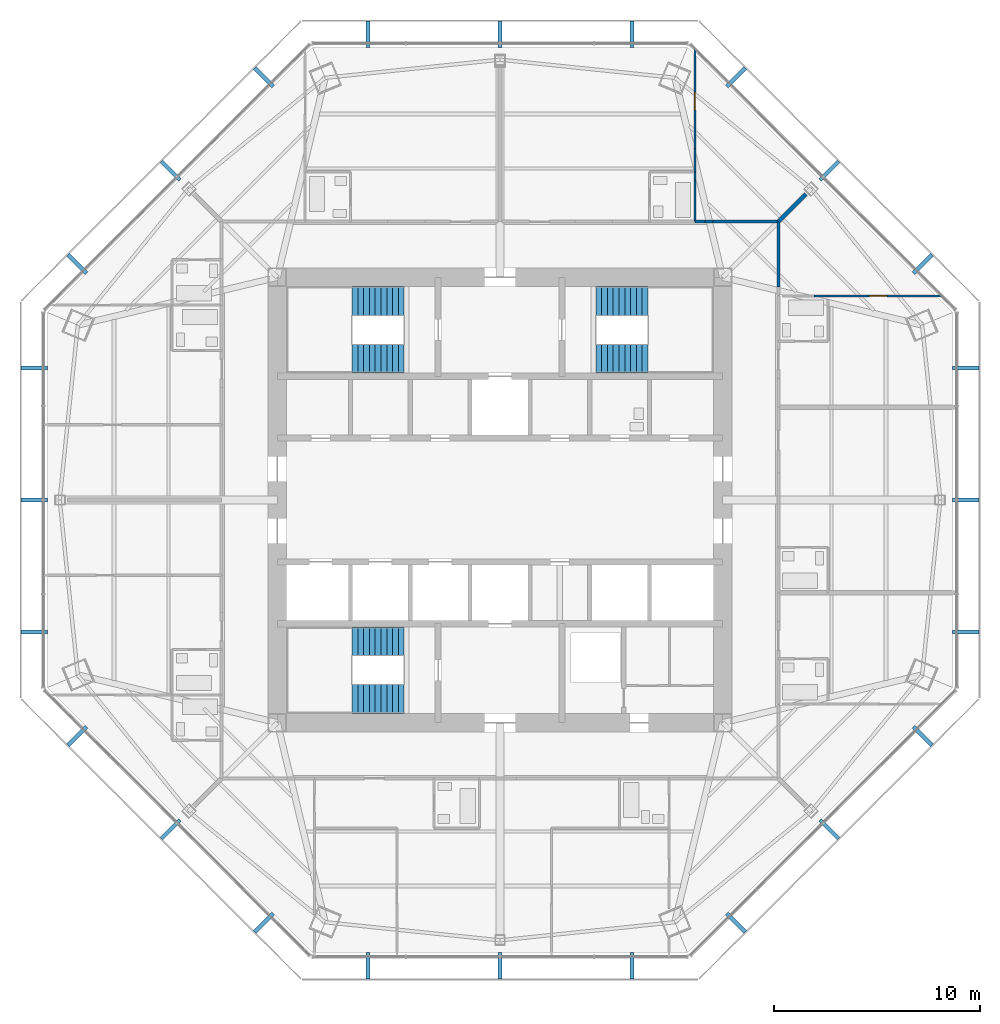
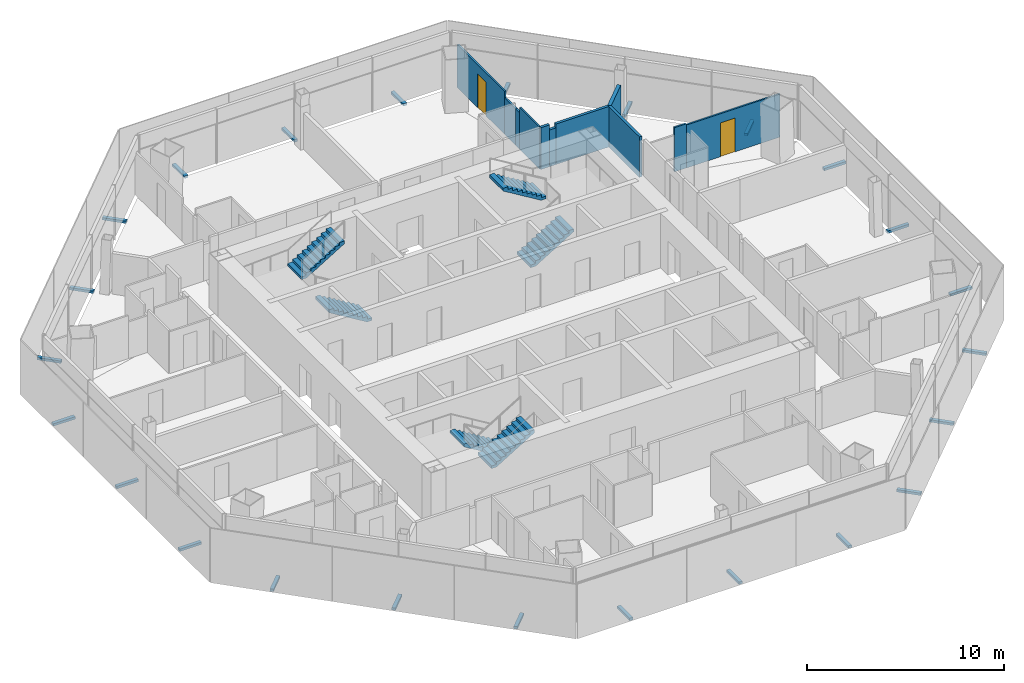
# One storey, part 13 of 15: 24 discrete accessories, 11 walls, 6 stair flights, 2 doors, 2 openings, 3 elements without a shape of their own.
"""IFC4 building model written with IfcOpenShell, lengths in metres."""

from ifc_helpers import new_model, si_unit, direction, frame, frame_2d, origin, origin_2d, place, context, subcontext, project, spatial, polyline, rectangle, outline, extrude, source, transform, mapped, material, layer, layer_set, type_object, type_shapes, element, fill, aggregate, save


model = new_model("IFC4")

# Units and contexts
model_context = context("Model", 3, precision=1e-05, world=origin(), true_north=direction((0.0, 1.0)))
body_context = subcontext(model_context, "Body", "Model", "MODEL_VIEW")
ifc_project = project(units=[si_unit("LENGTHUNIT", "METRE"), si_unit("AREAUNIT", "SQUARE_METRE"), si_unit("VOLUMEUNIT", "CUBIC_METRE"), si_unit("PLANEANGLEUNIT", "RADIAN"), si_unit("MASSUNIT", "GRAM", prefix="KILO")], contexts=[model_context])

# Site, building, storey
site_placement = place(None, origin())
site = spatial("IfcSite", under=ifc_project, at=site_placement, CompositionType="ELEMENT")
building_placement = place(site_placement, origin())
building = spatial("IfcBuilding", under=site, at=building_placement, Name="Mashrafa Tower", CompositionType="ELEMENT")
storey_placement = place(building_placement, frame((0.0, 0.0, 207.39990234375)))
storey = spatial("IfcBuildingStorey", under=building, at=storey_placement, Name="L47", CompositionType="ELEMENT", Elevation=207.39990234375)

# Walls
ifc_material_1 = material(Name="Gypsum board on steel studs", Category="steel")
ifc_layer_1 = layer(ifc_material_1, 0.199951171875)
ifc_layer_set_1 = layer_set([ifc_layer_1], Name="Acoustic partition 200 1 hr")
wall_type_1 = type_object("IfcWallType", Name="Acoustic partition 200 1 hr", PredefinedType="PARTITIONING", material=ifc_layer_set_1)
wall_1_placement = place(storey_placement, frame((14.8369140625, 14.8369140625, 0.0), z_axis=(0.0, 0.0, 1.0), x_axis=(-0.707106781187, -0.707106781187, 0.0)))
element("IfcWall", 1, at=wall_1_placement, inside=storey, type_object=wall_type_1, Name="Acoustic wall L47-076", PredefinedType="PARTITIONING", context=body_context, shape_type="SweptSolid", body=[
    extrude(rectangle(XDim=1.890625, YDim=0.199951171875, at=frame_2d((0.9453125, 0.0))), origin(), (0.0, 0.0, 1.0), 2.511962890625),
])
ifc_material_2 = material(Name="Gypsum board on steel studs", Category="steel")
ifc_layer_2 = layer(ifc_material_2, 0.14990234375)
ifc_layer_set_2 = layer_set([ifc_layer_2], Name="Corridor partition 150 1 hr")
wall_type_2 = type_object("IfcWallType", Name="Corridor partition 150 1 hr", PredefinedType="PARTITIONING", material=ifc_layer_set_2)
for number, where, z_axis, x_axis, name in (
    (2, (13.5, 10.322998046875, 0.0), (0.0, 0.0, 1.0), (0.0, 1.0, 0.0), "Corridor wall L47-012"),
    (3, (13.5, 13.5, 0.0), (0.0, 0.0, 1.0), (-1.0, 0.0, 0.0), "Corridor wall L47-017"),
):
    element("IfcWall", number, at=place(storey_placement, frame(where, z_axis=z_axis, x_axis=x_axis)), inside=storey, type_object=wall_type_2, Name=name, PredefinedType="PARTITIONING", context=body_context, shape_type="SweptSolid", body=[
        extrude(rectangle(XDim=3.177001953125, YDim=0.14990234375, at=frame_2d((1.58837890625, 0.0))), origin(), (0.0, 0.0, 1.0), 2.511962890625),
    ])
wall_2_placement = place(storey_placement, frame((9.947265625, 13.5, 0.0), z_axis=(0.0, 0.0, 1.0), x_axis=(-1.0, 0.0, 0.0)))
element("IfcWall", 4, at=wall_2_placement, inside=storey, type_object=wall_type_2, Name="Corridor wall L47-018", PredefinedType="PARTITIONING", context=body_context, shape_type="SweptSolid", body=[
    extrude(rectangle(XDim=0.498291015625, YDim=0.14990234375, at=frame_2d((0.2490234375, 0.0))), origin(), (0.0, 0.0, 1.0), 2.590576171875),
])
wall_3_placement = place(storey_placement, frame((10.322998046875, 13.5, 0.0), z_axis=(0.0, 0.0, 1.0), x_axis=(-1.0, 0.0, 0.0)))
element("IfcWall", 5, at=wall_3_placement, inside=storey, type_object=wall_type_2, Name="Corridor wall L47-019", PredefinedType="PARTITIONING", context=body_context, shape_type="SweptSolid", body=[
    extrude(rectangle(XDim=0.375732421875, YDim=0.14990234375, at=frame_2d((0.18798828125, 0.0))), origin(), (0.0, 0.0, 1.0), 2.268310546875),
])
ifc_material_3 = material(Name="Gypsum board on steel studs", Category="steel")
ifc_layer_3 = layer(ifc_material_3, 0.10009765625)
ifc_layer_set_3 = layer_set([ifc_layer_3], Name="Partition 100")
wall_type_3 = type_object("IfcWallType", Name="Partition 100", PredefinedType="PARTITIONING", material=ifc_layer_set_3)
wall_4_placement = place(storey_placement, frame((15.2177734375, 9.89990234375, 0.0), z_axis=(0.0, 0.0, 1.0), x_axis=(1.0, 0.0, 0.0)))
element("IfcWall", 6, at=wall_4_placement, inside=storey, type_object=wall_type_3, Name="Partition wall L47-073", PredefinedType="PARTITIONING", context=body_context, shape_type="SweptSolid", body=[
    extrude(rectangle(XDim=0.68310546875, YDim=0.10009765625, at=frame_2d((0.341552734375, 0.0))), origin(), (0.0, 0.0, 1.0), 2.740478515625),
])

# Wall, opening, door
wall_5_placement = place(storey_placement, frame((15.89892578125, 9.89990234375, 0.0), z_axis=(0.0, 0.0, 1.0), x_axis=(1.0, 0.0, 0.0)))
wall_5 = element("IfcWall", 7, at=wall_5_placement, inside=storey, type_object=wall_type_3, Name="Partition wall L47-075", PredefinedType="PARTITIONING", context=body_context, shape_type="SweptSolid", body=[
    extrude(rectangle(XDim=5.500732421875, YDim=0.10009765625, at=frame_2d((2.75048828125, 0.0))), origin(), (0.0, 0.0, 1.0), 2.664306640625),
])
opening_1_placement = place(wall_5_placement, frame((2.01806640625, 0.0, 0.0)))
opening_1 = element("IfcOpeningElement", 8, at=opening_1_placement, cuts=wall_5, Name="Opening 47.006", PredefinedType="OPENING", context=body_context, shape_type="SweptSolid", body=[
    extrude(rectangle(XDim=0.85009765625, YDim=2.10009765625, at=frame_2d((0.425048828125, 1.050048828125))), frame((0.0, 0.06005859375, 0.0), z_axis=(0.0, -1.0, 0.0), x_axis=(1.0, 0.0, 0.0)), (0.0, 0.0, 1.0), 0.1201171875),
])
ifc_material_4 = material(Name="Timber door", Category="wood")
door_type = type_object("IfcDoorType", Name="Bedroom door 850 x 2100", OperationType="USERDEFINED", PredefinedType="DOOR", material=ifc_material_4)
door_1_placement = place(opening_1_placement, origin())
door_1 = element("IfcDoor", 9, at=door_1_placement, inside=storey, type_object=door_type, Name="Apartment 4703 Bedroom 1 door", OperationType="SINGLE_SWING_RIGHT", OverallHeight=2.10009765625, OverallWidth=0.85009765625, PredefinedType="DOOR", context=body_context, shape_type="SweptSolid", body=[
    extrude(rectangle(XDim=0.85009765625, YDim=2.10009765625, at=frame_2d((0.425048828125, 1.050048828125))), frame((0.0, 0.02490234375, 0.0), z_axis=(0.0, -1.0, 0.0), x_axis=(1.0, 0.0, 0.0)), (0.0, 0.0, 1.0), 0.050048828125),
])
fill(opening_1, door_1)

# Walls
wall_6_placement = place(storey_placement, frame((9.449951171875, 15.519287109375, 0.0), z_axis=(0.0, 0.0, 1.0), x_axis=(0.0, -1.0, 0.0)))
element("IfcWall", 10, at=wall_6_placement, inside=storey, type_object=wall_type_3, Name="Partition wall L47-080", PredefinedType="PARTITIONING", context=body_context, shape_type="SweptSolid", body=[
    extrude(rectangle(XDim=2.019287109375, YDim=0.10009765625, at=frame_2d((1.009765625, 0.0))), origin(), (0.0, 0.0, 1.0), 2.590576171875),
])
wall_7_placement = place(storey_placement, frame((9.449951171875, 15.90087890625, 0.0), z_axis=(0.0, 0.0, 1.0), x_axis=(0.0, -1.0, 0.0)))
element("IfcWall", 11, at=wall_7_placement, inside=storey, type_object=wall_type_3, Name="Partition wall L47-081", PredefinedType="PARTITIONING", context=body_context, shape_type="SweptSolid", body=[
    extrude(rectangle(XDim=0.381591796875, YDim=0.10009765625, at=frame_2d((0.19091796875, 0.0))), origin(), (0.0, 0.0, 1.0), 2.268310546875),
])

# Wall, opening, door
wall_8_placement = place(storey_placement, frame((9.449951171875, 21.849609375, 0.0), z_axis=(0.0, 0.0, 1.0), x_axis=(0.0, -1.0, 0.0)))
wall_8 = element("IfcWall", 12, at=wall_8_placement, inside=storey, type_object=wall_type_3, Name="Partition wall L47-082", PredefinedType="PARTITIONING", context=body_context, shape_type="SweptSolid", body=[
    extrude(rectangle(XDim=4.804443359375, YDim=0.10009765625, at=frame_2d((2.40234375, 0.0))), origin(), (0.0, 0.0, 1.0), 2.664306640625),
])
opening_2_placement = place(wall_8_placement, frame((2.080078125, 0.0, 0.0)))
opening_2 = element("IfcOpeningElement", 13, at=opening_2_placement, cuts=wall_8, Name="Opening 47.009", PredefinedType="OPENING", context=body_context, shape_type="SweptSolid", body=[
    extrude(rectangle(XDim=0.85009765625, YDim=2.10009765625, at=frame_2d((0.425048828125, 1.050048828125))), frame((0.0, 0.06005859375, 0.0), z_axis=(0.0, -1.0, 0.0), x_axis=(1.0, 0.0, 0.0)), (0.0, 0.0, 1.0), 0.1201171875),
])
door_2_placement = place(opening_2_placement, origin())
door_2 = element("IfcDoor", 14, at=door_2_placement, inside=storey, type_object=door_type, Name="Apartment 4704 Bedroom 1 door", OperationType="SINGLE_SWING_LEFT", OverallHeight=2.10009765625, OverallWidth=0.85009765625, PredefinedType="DOOR", context=body_context, shape_type="SweptSolid", body=[
    extrude(rectangle(XDim=0.85009765625, YDim=2.10009765625, at=frame_2d((0.425048828125, 1.050048828125))), frame((0.0, 0.02490234375, 0.0), z_axis=(0.0, -1.0, 0.0), x_axis=(1.0, 0.0, 0.0)), (0.0, 0.0, 1.0), 0.050048828125),
])
fill(opening_2, door_2)

# Wall
wall_9_placement = place(storey_placement, frame((9.449951171875, 17.045166015625, 0.0), z_axis=(0.0, 0.0, 1.0), x_axis=(0.0, -1.0, 0.0)))
element("IfcWall", 15, at=wall_9_placement, inside=storey, type_object=wall_type_3, Name="Partition wall L47-083", PredefinedType="PARTITIONING", context=body_context, shape_type="SweptSolid", body=[
    extrude(rectangle(XDim=1.146240234375, YDim=0.10009765625, at=frame_2d((0.5732421875, 0.0))), origin(), (0.0, 0.0, 1.0), 2.268310546875),
])

# Stair, stair flights
ifc_material_5 = material(Name="Exit stair 1400")
stair_type = type_object("IfcStairType", Name="Exit stair 1400", PredefinedType="HALF_TURN_STAIR", material=ifc_material_5)
stair_1_placement = place(storey_placement, origin())
stair_1 = element("IfcStair", 16, at=stair_1_placement, inside=storey, type_object=stair_type, Name="Stair S1 L47", PredefinedType="HALF_TURN_STAIR")
ifc_material_6 = material(Name="Concrete C32/40", Category="concrete")
stair_flight_type = type_object("IfcStairFlightType", Name="Stair flight 1400", PredefinedType="STRAIGHT", material=ifc_material_6)
stair_flight_1_placement = place(storey_placement, frame((-4.64990234375, 6.85009765625, 0.0), z_axis=(0.0, 0.0, 1.0), x_axis=(-1.0, 0.0, 0.0)))
stair_flight_1 = element("IfcStairFlight", 17, at=stair_flight_1_placement, type_object=stair_flight_type, Name="S1 flight 1", NumberOfRisers=10, NumberOfTreads=9, PredefinedType="STRAIGHT", RiserHeight=0.17, TreadLength=0.28, context=body_context, shape_type="SweptSolid", body=[
    extrude(outline(polyline([(0.0, 0.0), (0.0, 0.169921875), (0.280029296875, 0.169921875), (0.280029296875, 0.340087890625), (0.56005859375, 0.340087890625), (0.56005859375, 0.510009765625), (0.840087890625, 0.510009765625), (0.840087890625, 0.679931640625), (1.1201171875, 0.679931640625), (1.1201171875, 0.85009765625), (1.39990234375, 0.85009765625), (1.39990234375, 1.02001953125), (1.679931640625, 1.02001953125), (1.679931640625, 1.18994140625), (1.9599609375, 1.18994140625), (1.9599609375, 1.360107421875), (2.239990234375, 1.360107421875), (2.239990234375, 1.530029296875), (2.52001953125, 1.530029296875), (2.52001953125, 1.699951171875), (2.52001953125, 1.354736328125), (0.288818359375, 0.0), (0.0, 0.0)])), frame((0.0, 0.699951171875, 0.0), z_axis=(0.0, -1.0, 0.0), x_axis=(1.0, 0.0, 0.0)), (0.0, 0.0, 1.0), 1.39990234375),
])
stair_flight_2_placement = place(storey_placement, frame((-7.169921875, 9.64990234375, 1.7001953125), z_axis=(0.0, 0.0, 1.0), x_axis=(1.0, 0.0, 0.0)))
stair_flight_2 = element("IfcStairFlight", 18, at=stair_flight_2_placement, type_object=stair_flight_type, Name="S1 flight 2", NumberOfRisers=10, NumberOfTreads=9, PredefinedType="STRAIGHT", RiserHeight=0.17, TreadLength=0.28, context=body_context, shape_type="SweptSolid", body=[
    extrude(outline(polyline([(0.0, 0.0), (0.0, 0.169921875), (0.280029296875, 0.169921875), (0.280029296875, 0.340087890625), (0.56005859375, 0.340087890625), (0.56005859375, 0.510009765625), (0.840087890625, 0.510009765625), (0.840087890625, 0.679931640625), (1.1201171875, 0.679931640625), (1.1201171875, 0.85009765625), (1.39990234375, 0.85009765625), (1.39990234375, 1.02001953125), (1.679931640625, 1.02001953125), (1.679931640625, 1.18994140625), (1.9599609375, 1.18994140625), (1.9599609375, 1.360107421875), (2.239990234375, 1.360107421875), (2.239990234375, 1.530029296875), (2.52001953125, 1.530029296875), (2.52001953125, 1.699951171875), (2.52001953125, 1.354736328125), (0.288818359375, 0.0), (0.0, 0.0)])), frame((0.0, 0.699951171875, 0.0), z_axis=(0.0, -1.0, 0.0), x_axis=(1.0, 0.0, 0.0)), (0.0, 0.0, 1.0), 1.39990234375),
])
aggregate(stair_1, [stair_flight_1, stair_flight_2])

stair_2_placement = place(storey_placement, origin())
stair_2 = element("IfcStair", 19, at=stair_2_placement, inside=storey, type_object=stair_type, Name="Stair S2 L47", PredefinedType="HALF_TURN_STAIR")
stair_flight_3_placement = place(storey_placement, frame((4.64990234375, 6.85009765625, 0.0), z_axis=(0.0, 0.0, 1.0), x_axis=(1.0, 0.0, 0.0)))
stair_flight_3 = element("IfcStairFlight", 20, at=stair_flight_3_placement, type_object=stair_flight_type, Name="S2 flight 1", NumberOfRisers=10, NumberOfTreads=9, PredefinedType="STRAIGHT", RiserHeight=0.17, TreadLength=0.28, context=body_context, shape_type="SweptSolid", body=[
    extrude(outline(polyline([(0.0, 0.0), (0.0, 0.169921875), (0.280029296875, 0.169921875), (0.280029296875, 0.340087890625), (0.56005859375, 0.340087890625), (0.56005859375, 0.510009765625), (0.840087890625, 0.510009765625), (0.840087890625, 0.679931640625), (1.1201171875, 0.679931640625), (1.1201171875, 0.85009765625), (1.39990234375, 0.85009765625), (1.39990234375, 1.02001953125), (1.679931640625, 1.02001953125), (1.679931640625, 1.18994140625), (1.9599609375, 1.18994140625), (1.9599609375, 1.360107421875), (2.239990234375, 1.360107421875), (2.239990234375, 1.530029296875), (2.52001953125, 1.530029296875), (2.52001953125, 1.699951171875), (2.52001953125, 1.354736328125), (0.288818359375, 0.0), (0.0, 0.0)])), frame((0.0, 0.699951171875, 0.0), z_axis=(0.0, -1.0, 0.0), x_axis=(1.0, 0.0, 0.0)), (0.0, 0.0, 1.0), 1.39990234375),
])
stair_flight_4_placement = place(storey_placement, frame((7.169921875, 9.64990234375, 1.7001953125), z_axis=(0.0, 0.0, 1.0), x_axis=(-1.0, 0.0, 0.0)))
stair_flight_4 = element("IfcStairFlight", 21, at=stair_flight_4_placement, type_object=stair_flight_type, Name="S2 flight 2", NumberOfRisers=10, NumberOfTreads=9, PredefinedType="STRAIGHT", RiserHeight=0.17, TreadLength=0.28, context=body_context, shape_type="SweptSolid", body=[
    extrude(outline(polyline([(0.0, 0.0), (0.0, 0.169921875), (0.280029296875, 0.169921875), (0.280029296875, 0.340087890625), (0.56005859375, 0.340087890625), (0.56005859375, 0.510009765625), (0.840087890625, 0.510009765625), (0.840087890625, 0.679931640625), (1.1201171875, 0.679931640625), (1.1201171875, 0.85009765625), (1.39990234375, 0.85009765625), (1.39990234375, 1.02001953125), (1.679931640625, 1.02001953125), (1.679931640625, 1.18994140625), (1.9599609375, 1.18994140625), (1.9599609375, 1.360107421875), (2.239990234375, 1.360107421875), (2.239990234375, 1.530029296875), (2.52001953125, 1.530029296875), (2.52001953125, 1.699951171875), (2.52001953125, 1.354736328125), (0.288818359375, 0.0), (0.0, 0.0)])), frame((0.0, 0.699951171875, 0.0), z_axis=(0.0, -1.0, 0.0), x_axis=(1.0, 0.0, 0.0)), (0.0, 0.0, 1.0), 1.39990234375),
])
aggregate(stair_2, [stair_flight_3, stair_flight_4])

stair_3_placement = place(storey_placement, origin())
stair_3 = element("IfcStair", 22, at=stair_3_placement, inside=storey, type_object=stair_type, Name="Stair S3 L47", PredefinedType="HALF_TURN_STAIR")
stair_flight_5_placement = place(storey_placement, frame((-4.64990234375, -6.85009765625, 0.0), z_axis=(0.0, 0.0, 1.0), x_axis=(-1.0, 0.0, 0.0)))
stair_flight_5 = element("IfcStairFlight", 23, at=stair_flight_5_placement, type_object=stair_flight_type, Name="S3 flight 1", NumberOfRisers=10, NumberOfTreads=9, PredefinedType="STRAIGHT", RiserHeight=0.17, TreadLength=0.28, context=body_context, shape_type="SweptSolid", body=[
    extrude(outline(polyline([(0.0, 0.0), (0.0, 0.169921875), (0.280029296875, 0.169921875), (0.280029296875, 0.340087890625), (0.56005859375, 0.340087890625), (0.56005859375, 0.510009765625), (0.840087890625, 0.510009765625), (0.840087890625, 0.679931640625), (1.1201171875, 0.679931640625), (1.1201171875, 0.85009765625), (1.39990234375, 0.85009765625), (1.39990234375, 1.02001953125), (1.679931640625, 1.02001953125), (1.679931640625, 1.18994140625), (1.9599609375, 1.18994140625), (1.9599609375, 1.360107421875), (2.239990234375, 1.360107421875), (2.239990234375, 1.530029296875), (2.52001953125, 1.530029296875), (2.52001953125, 1.699951171875), (2.52001953125, 1.354736328125), (0.288818359375, 0.0), (0.0, 0.0)])), frame((0.0, 0.699951171875, 0.0), z_axis=(0.0, -1.0, 0.0), x_axis=(1.0, 0.0, 0.0)), (0.0, 0.0, 1.0), 1.39990234375),
])
stair_flight_6_placement = place(storey_placement, frame((-7.169921875, -9.64990234375, 1.7001953125), z_axis=(0.0, 0.0, 1.0), x_axis=(1.0, 0.0, 0.0)))
stair_flight_6 = element("IfcStairFlight", 24, at=stair_flight_6_placement, type_object=stair_flight_type, Name="S3 flight 2", NumberOfRisers=10, NumberOfTreads=9, PredefinedType="STRAIGHT", RiserHeight=0.17, TreadLength=0.28, context=body_context, shape_type="SweptSolid", body=[
    extrude(outline(polyline([(0.0, 0.0), (0.0, 0.169921875), (0.280029296875, 0.169921875), (0.280029296875, 0.340087890625), (0.56005859375, 0.340087890625), (0.56005859375, 0.510009765625), (0.840087890625, 0.510009765625), (0.840087890625, 0.679931640625), (1.1201171875, 0.679931640625), (1.1201171875, 0.85009765625), (1.39990234375, 0.85009765625), (1.39990234375, 1.02001953125), (1.679931640625, 1.02001953125), (1.679931640625, 1.18994140625), (1.9599609375, 1.18994140625), (1.9599609375, 1.360107421875), (2.239990234375, 1.360107421875), (2.239990234375, 1.530029296875), (2.52001953125, 1.530029296875), (2.52001953125, 1.699951171875), (2.52001953125, 1.354736328125), (0.288818359375, 0.0), (0.0, 0.0)])), frame((0.0, 0.699951171875, 0.0), z_axis=(0.0, -1.0, 0.0), x_axis=(1.0, 0.0, 0.0)), (0.0, 0.0, 1.0), 1.39990234375),
])
aggregate(stair_3, [stair_flight_5, stair_flight_6])

# Discrete accessories
ifc_material_7 = material(Name="Stainless steel screen bracket", Category="steel")
discrete_accessory_type = type_object("IfcDiscreteAccessoryType", Name="Screen support bracket 200 x 150", PredefinedType="BRACKET", material=ifc_material_7)
shared_shape = source(origin(), body_context, "Body", "SweptSolid", [
    extrude(rectangle(XDim=0.199951171875, YDim=1.27001953125, at=origin_2d()), origin(), (0.0, 0.0, 1.0), 0.14990234375),
])
type_shapes(discrete_accessory_type, [shared_shape])
for number, where, z_axis, x_axis, name in (
    (25, (22.582763671875, -6.40478515625, -0.14990234375), (0.0, 0.0, 1.0), (0.0, 1.0, 0.0), "Screen support bracket L47 east 1"),
    (26, (22.582763671875, 0.0, -0.14990234375), (0.0, 0.0, 1.0), (0.0, 1.0, 0.0), "Screen support bracket L47 east 2"),
    (27, (22.582763671875, 6.40478515625, -0.14990234375), (0.0, 0.0, 1.0), (0.0, 1.0, 0.0), "Screen support bracket L47 east 3"),
    (28, (20.4970703125, 11.439453125, -0.14990234375), (0.0, 0.0, 1.0), (-0.707106781187, 0.707106781187, 0.0), "Screen support bracket L47 north-east 1"),
    (29, (15.96826171875, 15.96826171875, -0.14990234375), (0.0, 0.0, 1.0), (-0.707106781187, 0.707106781187, 0.0), "Screen support bracket L47 north-east 2"),
    (30, (11.439453125, 20.4970703125, -0.14990234375), (0.0, 0.0, 1.0), (-0.707106781187, 0.707106781187, 0.0), "Screen support bracket L47 north-east 3"),
    (31, (6.40478515625, 22.582763671875, -0.14990234375), (0.0, 0.0, 1.0), (-1.0, 0.0, 0.0), "Screen support bracket L47 north 1"),
    (32, (0.0, 22.582763671875, -0.14990234375), (0.0, 0.0, 1.0), (-1.0, 0.0, 0.0), "Screen support bracket L47 north 2"),
    (33, (-6.40478515625, 22.582763671875, -0.14990234375), (0.0, 0.0, 1.0), (-1.0, 0.0, 0.0), "Screen support bracket L47 north 3"),
    (34, (-11.439453125, 20.4970703125, -0.14990234375), (0.0, 0.0, 1.0), (-0.707106781187, -0.707106781187, 0.0), "Screen support bracket L47 north-west 1"),
    (35, (-15.96826171875, 15.96826171875, -0.14990234375), (0.0, 0.0, 1.0), (-0.707106781187, -0.707106781187, 0.0), "Screen support bracket L47 north-west 2"),
    (36, (-20.4970703125, 11.439453125, -0.14990234375), (0.0, 0.0, 1.0), (-0.707106781187, -0.707106781187, 0.0), "Screen support bracket L47 north-west 3"),
    (37, (-22.582763671875, 6.40478515625, -0.14990234375), (0.0, 0.0, 1.0), (0.0, -1.0, 0.0), "Screen support bracket L47 west 1"),
    (38, (-22.582763671875, 0.0, -0.14990234375), (0.0, 0.0, 1.0), (0.0, -1.0, 0.0), "Screen support bracket L47 west 2"),
    (39, (-22.582763671875, -6.40478515625, -0.14990234375), (0.0, 0.0, 1.0), (0.0, -1.0, 0.0), "Screen support bracket L47 west 3"),
    (40, (-20.4970703125, -11.439453125, -0.14990234375), (0.0, 0.0, 1.0), (0.707106781187, -0.707106781187, 0.0), "Screen support bracket L47 south-west 1"),
    (41, (-15.96826171875, -15.96826171875, -0.14990234375), (0.0, 0.0, 1.0), (0.707106781187, -0.707106781187, 0.0), "Screen support bracket L47 south-west 2"),
    (42, (-11.439453125, -20.4970703125, -0.14990234375), (0.0, 0.0, 1.0), (0.707106781187, -0.707106781187, 0.0), "Screen support bracket L47 south-west 3"),
    (43, (-6.40478515625, -22.582763671875, -0.14990234375), (0.0, 0.0, 1.0), (1.0, 0.0, 0.0), "Screen support bracket L47 south 1"),
    (44, (0.0, -22.582763671875, -0.14990234375), (0.0, 0.0, 1.0), (1.0, 0.0, 0.0), "Screen support bracket L47 south 2"),
    (45, (6.40478515625, -22.582763671875, -0.14990234375), (0.0, 0.0, 1.0), (1.0, 0.0, 0.0), "Screen support bracket L47 south 3"),
    (46, (11.439453125, -20.4970703125, -0.14990234375), (0.0, 0.0, 1.0), (0.707106781187, 0.707106781187, 0.0), "Screen support bracket L47 south-east 1"),
    (47, (15.96826171875, -15.96826171875, -0.14990234375), (0.0, 0.0, 1.0), (0.707106781187, 0.707106781187, 0.0), "Screen support bracket L47 south-east 2"),
    (48, (20.4970703125, -11.439453125, -0.14990234375), (0.0, 0.0, 1.0), (0.707106781187, 0.707106781187, 0.0), "Screen support bracket L47 south-east 3"),
):
    element("IfcDiscreteAccessory", number, at=place(storey_placement, frame(where, z_axis=z_axis, x_axis=x_axis)), inside=storey, type_object=discrete_accessory_type, Name=name, PredefinedType="BRACKET", context=body_context, shape_type="MappedRepresentation", body=[
        mapped(shared_shape, transform((0.0, 0.0, 0.0))),
    ])

save(model, "model.ifc")
